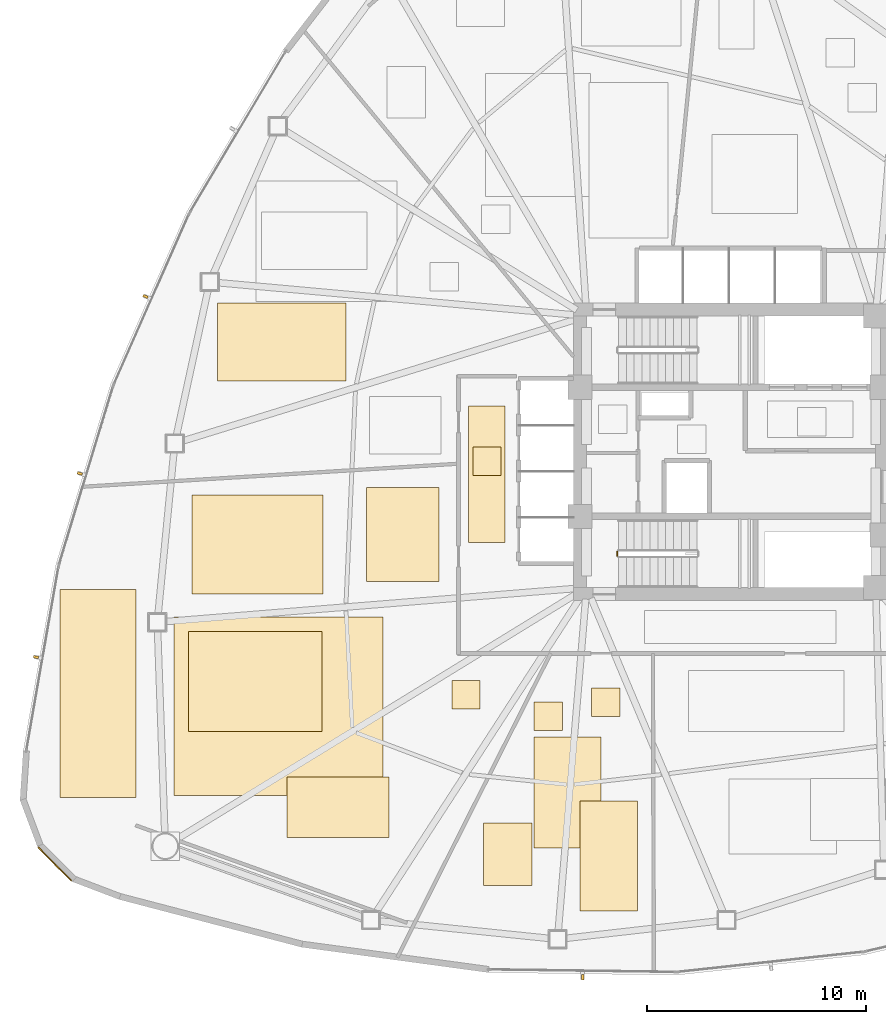
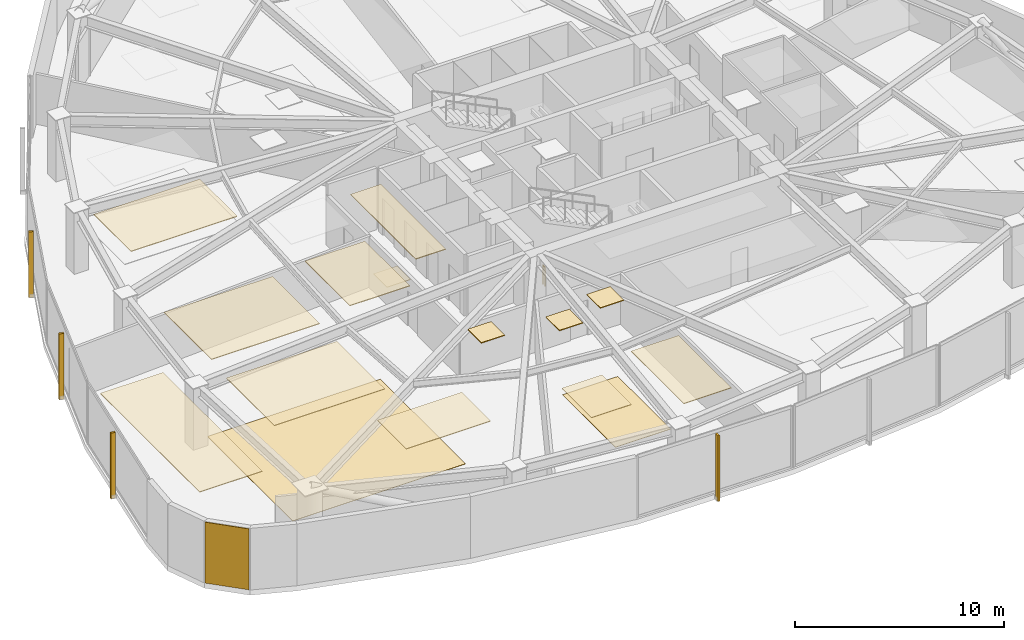
# One storey, part 13 of 16: 16 coverings, 4 shading devices, 1 railing.
"""IFC4 building model written with IfcOpenShell, lengths in metres."""

from ifc_helpers import new_model, si_unit, direction, frame, origin, origin_2d, place, context, subcontext, project, spatial, polyline, rectangle, outline, extrude, source, transform, mapped, material, layer, layer_set, type_object, type_shapes, element, save


model = new_model("IFC4")

# Units and contexts
model_context = context("Model", 3, precision=1e-05, world=origin(), true_north=direction((0.0, 1.0)))
body_context = subcontext(model_context, "Body", "Model", "MODEL_VIEW")
ifc_project = project(units=[si_unit("LENGTHUNIT", "METRE"), si_unit("AREAUNIT", "SQUARE_METRE"), si_unit("VOLUMEUNIT", "CUBIC_METRE"), si_unit("PLANEANGLEUNIT", "RADIAN"), si_unit("MASSUNIT", "GRAM", prefix="KILO")], contexts=[model_context])

# Site, building, storey
site_placement = place(None, origin())
site = spatial("IfcSite", under=ifc_project, at=site_placement, CompositionType="ELEMENT")
building_placement = place(site_placement, origin())
building = spatial("IfcBuilding", under=site, at=building_placement, Name="Tavelor Broadcast Tower", CompositionType="ELEMENT")
storey_placement = place(building_placement, frame((0.0, 0.0, 35.39990234375)))
storey = spatial("IfcBuildingStorey", under=building, at=storey_placement, Name="L07", CompositionType="ELEMENT", Elevation=35.39990234375)

# Coverings
ifc_material_1 = material(Name="Copper-Bronze Anodized Aluminium", Category="aluminium")
ifc_layer_1 = layer(ifc_material_1, 0.044921875)
ifc_layer_set_1 = layer_set([ifc_layer_1], Name="Copper-Bronze Anodized Aluminium")
covering_type_1 = type_object("IfcCoveringType", Name="Anodised Bronze Linear Slatted Concourse Ceiling 45 mm", PredefinedType="CEILING", material=ifc_layer_set_1)
covering_1_placement = place(storey_placement, frame((0.0, 0.0, 3.55517578125)))
element("IfcCovering", 1, at=covering_1_placement, inside=storey, type_object=covering_type_1, Name="L07 Suspended Acoustic Ceiling 0211", PredefinedType="CEILING", context=body_context, shape_type="SweptSolid", body=[
    extrude(outline(polyline([(38.01611328125, 40.868896484375), (39.683837890625, 40.868896484375), (39.683837890625, 47.096923828125), (38.01611328125, 47.096923828125), (38.01611328125, 40.868896484375)])), origin(), (0.0, 0.0, 1.0), 0.044921875),
])
ifc_layer_2 = layer(ifc_material_1, 0.050048828125)
ifc_layer_set_2 = layer_set([ifc_layer_2], Name="Copper-Bronze Anodized Aluminium")
covering_type_2 = type_object("IfcCoveringType", Name="Champagne-Bronze Corner Pier Metal Cladding 50 mm", PredefinedType="CLADDING", material=ifc_layer_set_2)
covering_2_placement = place(storey_placement, frame((19.1181640625, 26.170166015625, 0.02001953125), z_axis=(0.0, 0.0, 1.0), x_axis=(0.705253158862, -0.708955557081, 0.0)))
element("IfcCovering", 2, at=covering_2_placement, inside=storey, type_object=covering_type_2, Name="L07 Champagne-Bronze Corner Cladding 13", PredefinedType="CLADDING", context=body_context, shape_type="SweptSolid", body=[
    extrude(rectangle(XDim=2.164306640625, YDim=0.050048828125, at=origin_2d()), origin(), (0.0, 0.0, 1.0), 3.56005859375),
])
ifc_material_2 = material(Name="Acoustic Nylon Carpet Tile")
ifc_layer_3 = layer(ifc_material_2, 0.02001953125)
ifc_layer_set_3 = layer_set([ifc_layer_3], Name="Acoustic Nylon Carpet Tile")
covering_type_3 = type_object("IfcCoveringType", Name="Heavy-Duty Acoustic Broadcast Carpet Tile 20 mm", PredefinedType="FLOORING", material=ifc_layer_set_3)
covering_3_placement = place(storey_placement, origin())
element("IfcCovering", 3, at=covering_3_placement, inside=storey, type_object=covering_type_3, Name="L07 Broadcast Floor Finish 0078", PredefinedType="FLOORING", context=body_context, shape_type="SweptSolid", body=[
    extrude(outline(polyline([(40.99462890625, 26.917236328125), (44.045654296875, 26.917236328125), (44.045654296875, 31.978515625), (40.99462890625, 31.978515625), (40.99462890625, 26.917236328125)])), origin(), (0.0, 0.0, 1.0), 0.02001953125),
])
covering_4_placement = place(storey_placement, origin())
element("IfcCovering", 4, at=covering_4_placement, inside=storey, type_object=covering_type_3, Name="L07 Broadcast Floor Finish 0079", PredefinedType="FLOORING", context=body_context, shape_type="SweptSolid", body=[
    extrude(outline(polyline([(24.547119140625, 29.31494140625), (34.098876953125, 29.31494140625), (34.098876953125, 37.4599609375), (24.547119140625, 37.4599609375), (24.547119140625, 29.31494140625)])), origin(), (0.0, 0.0, 1.0), 0.02001953125),
])
ifc_material_3 = material(Name="Honed Natural Limestone Tile", Category="masonry")
ifc_layer_4 = layer(ifc_material_3, 0.030029296875)
ifc_layer_set_4 = layer_set([ifc_layer_4], Name="Honed Natural Limestone Tile")
covering_type_4 = type_object("IfcCoveringType", Name="Honed Jerusalem Limestone Concourse Flooring 30 mm", PredefinedType="FLOORING", material=ifc_layer_set_4)
covering_5_placement = place(storey_placement, origin())
element("IfcCovering", 5, at=covering_5_placement, inside=storey, type_object=covering_type_4, Name="L07 Broadcast Floor Finish 0074", PredefinedType="FLOORING", context=body_context, shape_type="SweptSolid", body=[
    extrude(outline(polyline([(38.199951171875, 43.925048828125), (39.5, 43.925048828125), (39.5, 45.22509765625), (38.199951171875, 45.22509765625), (38.199951171875, 43.925048828125)])), origin(), (0.0, 0.0, 1.0), 0.030029296875),
])

# Railing
ifc_material_4 = material(Name="Steel S355", Category="steel")
railing_type = type_object("IfcRailingType", Name="Stairwell Steel Safety Guardrail 1150 mm", PredefinedType="GUARDRAIL", material=ifc_material_4)
railing_placement = place(storey_placement, frame((44.800048828125, 40.25, 0.0)))
element("IfcRailing", 6, at=railing_placement, inside=storey, type_object=railing_type, Name="L07 ST2 stair guard 4", PredefinedType="GUARDRAIL", context=body_context, shape_type="SweptSolid", body=[
    extrude(rectangle(XDim=0.048095703125, YDim=0.048095703125, at=origin_2d()), frame((0.0, 0.0, 1.1259765625), z_axis=(0.0, 1.0, 0.0), x_axis=(-1.0, 0.0, 0.0)), (0.0, 0.0, 1.0), 0.199951171875),
    extrude(rectangle(XDim=0.0419921875, YDim=0.0419921875, at=origin_2d()), origin(), (0.0, 0.0, 1.0), 1.101806640625),
    extrude(rectangle(XDim=0.0419921875, YDim=0.0419921875, at=origin_2d()), frame((0.0, 0.199951171875, 0.0)), (0.0, 0.0, 1.0), 1.101806640625),
])

# Coverings
ifc_material_5 = material(Name="Acoustic Mineral Fibre Tile")
ifc_layer_5 = layer(ifc_material_5, 0.0400390625)
ifc_layer_set_5 = layer_set([ifc_layer_5], Name="Acoustic Mineral Fibre Tile")
covering_type_5 = type_object("IfcCoveringType", Name="Suspended Acoustic Mineral-Fibre Office Ceiling 40 mm", PredefinedType="CEILING", material=ifc_layer_set_5)
covering_6_placement = place(storey_placement, frame((0.0, 0.0, 3.56005859375)))
element("IfcCovering", 7, at=covering_6_placement, inside=storey, type_object=covering_type_5, Name="L07 Suspended Acoustic Ceiling 0219", PredefinedType="CEILING", context=body_context, shape_type="SweptSolid", body=[
    extrude(outline(polyline([(38.6806640625, 25.205810546875), (40.901123046875, 25.205810546875), (40.901123046875, 28.044677734375), (38.6806640625, 28.044677734375), (38.6806640625, 25.205810546875)])), origin(), (0.0, 0.0, 1.0), 0.0400390625),
])
covering_7_placement = place(storey_placement, frame((0.0, 0.0, 3.56005859375)))
element("IfcCovering", 8, at=covering_7_placement, inside=storey, type_object=covering_type_5, Name="L07 Suspended Acoustic Ceiling 0220", PredefinedType="CEILING", context=body_context, shape_type="SweptSolid", body=[
    extrude(outline(polyline([(40.989013671875, 32.272216796875), (42.288818359375, 32.272216796875), (42.288818359375, 33.572265625), (40.989013671875, 33.572265625), (40.989013671875, 32.272216796875)])), origin(), (0.0, 0.0, 1.0), 0.0400390625),
])
covering_8_placement = place(storey_placement, frame((0.0, 0.0, 3.56005859375)))
element("IfcCovering", 9, at=covering_8_placement, inside=storey, type_object=covering_type_5, Name="L07 Suspended Acoustic Ceiling 0221", PredefinedType="CEILING", context=body_context, shape_type="SweptSolid", body=[
    extrude(outline(polyline([(43.62451171875, 32.9248046875), (44.924560546875, 32.9248046875), (44.924560546875, 34.224609375), (43.62451171875, 34.224609375), (43.62451171875, 32.9248046875)])), origin(), (0.0, 0.0, 1.0), 0.0400390625),
])
covering_9_placement = place(storey_placement, frame((0.0, 0.0, 3.56005859375)))
element("IfcCovering", 10, at=covering_9_placement, inside=storey, type_object=covering_type_5, Name="L07 Suspended Acoustic Ceiling 0222", PredefinedType="CEILING", context=body_context, shape_type="SweptSolid", body=[
    extrude(outline(polyline([(43.09814453125, 24.02294921875), (45.71728515625, 24.02294921875), (45.71728515625, 29.062744140625), (43.09814453125, 29.062744140625), (43.09814453125, 24.02294921875)])), origin(), (0.0, 0.0, 1.0), 0.0400390625),
])
covering_10_placement = place(storey_placement, frame((0.0, 0.0, 3.56005859375)))
element("IfcCovering", 11, at=covering_10_placement, inside=storey, type_object=covering_type_5, Name="L07 Suspended Acoustic Ceiling 0223", PredefinedType="CEILING", context=body_context, shape_type="SweptSolid", body=[
    extrude(outline(polyline([(29.708740234375, 27.378173828125), (34.37109375, 27.378173828125), (34.37109375, 30.14013671875), (29.708740234375, 30.14013671875), (29.708740234375, 27.378173828125)])), origin(), (0.0, 0.0, 1.0), 0.0400390625),
])
covering_11_placement = place(storey_placement, frame((0.0, 0.0, 3.56005859375)))
element("IfcCovering", 12, at=covering_11_placement, inside=storey, type_object=covering_type_5, Name="L07 Suspended Acoustic Ceiling 0224", PredefinedType="CEILING", context=body_context, shape_type="SweptSolid", body=[
    extrude(outline(polyline([(25.214111328125, 32.22314453125), (31.322021484375, 32.22314453125), (31.322021484375, 36.800048828125), (25.214111328125, 36.800048828125), (25.214111328125, 32.22314453125)])), origin(), (0.0, 0.0, 1.0), 0.0400390625),
])
covering_12_placement = place(storey_placement, frame((0.0, 0.0, 3.56005859375)))
element("IfcCovering", 13, at=covering_12_placement, inside=storey, type_object=covering_type_5, Name="L07 Suspended Acoustic Ceiling 0225", PredefinedType="CEILING", context=body_context, shape_type="SweptSolid", body=[
    extrude(outline(polyline([(19.3544921875, 29.212646484375), (22.8232421875, 29.212646484375), (22.8232421875, 38.714111328125), (19.3544921875, 38.714111328125), (19.3544921875, 29.212646484375)])), origin(), (0.0, 0.0, 1.0), 0.0400390625),
])
covering_13_placement = place(storey_placement, frame((0.0, 0.0, 3.56005859375)))
element("IfcCovering", 14, at=covering_13_placement, inside=storey, type_object=covering_type_5, Name="L07 Suspended Acoustic Ceiling 0226", PredefinedType="CEILING", context=body_context, shape_type="SweptSolid", body=[
    extrude(outline(polyline([(25.375, 38.505615234375), (31.357421875, 38.505615234375), (31.357421875, 43.031005859375), (25.375, 43.031005859375), (25.375, 38.505615234375)])), origin(), (0.0, 0.0, 1.0), 0.0400390625),
])
covering_14_placement = place(storey_placement, frame((0.0, 0.0, 3.56005859375)))
element("IfcCovering", 15, at=covering_14_placement, inside=storey, type_object=covering_type_5, Name="L07 Suspended Acoustic Ceiling 0227", PredefinedType="CEILING", context=body_context, shape_type="SweptSolid", body=[
    extrude(outline(polyline([(33.345703125, 39.077880859375), (36.65869140625, 39.077880859375), (36.65869140625, 43.369873046875), (33.345703125, 43.369873046875), (33.345703125, 39.077880859375)])), origin(), (0.0, 0.0, 1.0), 0.0400390625),
])
covering_15_placement = place(storey_placement, frame((0.0, 0.0, 3.56005859375)))
element("IfcCovering", 16, at=covering_15_placement, inside=storey, type_object=covering_type_5, Name="L07 Suspended Acoustic Ceiling 0228", PredefinedType="CEILING", context=body_context, shape_type="SweptSolid", body=[
    extrude(outline(polyline([(37.24169921875, 33.247314453125), (38.541748046875, 33.247314453125), (38.541748046875, 34.547119140625), (37.24169921875, 34.547119140625), (37.24169921875, 33.247314453125)])), origin(), (0.0, 0.0, 1.0), 0.0400390625),
])
covering_16_placement = place(storey_placement, frame((0.0, 0.0, 3.56005859375)))
element("IfcCovering", 17, at=covering_16_placement, inside=storey, type_object=covering_type_5, Name="L07 Suspended Acoustic Ceiling 0232", PredefinedType="CEILING", context=body_context, shape_type="SweptSolid", body=[
    extrude(outline(polyline([(26.545166015625, 48.227294921875), (32.4091796875, 48.227294921875), (32.4091796875, 51.79833984375), (26.545166015625, 51.79833984375), (26.545166015625, 48.227294921875)])), origin(), (0.0, 0.0, 1.0), 0.0400390625),
])

# Shading devices
ifc_material_6 = material(Name="Kiln-Fired Glazed Terracotta", Category="masonry")
shading_device_type = type_object("IfcShadingDeviceType", Name="Extruded Terracotta Baguette Sun-Screen 110x240", PredefinedType="JALOUSIE", material=ifc_material_6)
shared_shape = source(origin(), body_context, "Body", "SweptSolid", [
    extrude(rectangle(XDim=0.110107421875, YDim=0.239990234375, at=origin_2d()), origin(), (0.0, 0.0, 1.0), 3.840087890625),
])
type_shapes(shading_device_type, [shared_shape])
for number, where, z_axis, x_axis, name in (
    (18, (23.254150390625, 52.09521484375, -0.259765625), (0.0, 0.0, 1.0), (-0.404024312775, -0.914748246616, 0.0), "L07 Terracotta Baguette Fin 38"),
    (19, (20.256103515625, 44.011474609375, -0.259765625), (0.0, 0.0, 1.0), (-0.290201167351, -0.956965664205, 0.0), "L07 Terracotta Baguette Fin 39"),
    (20, (18.258056640625, 35.62451171875, -0.259765625), (0.0, 0.0, 1.0), (-0.172272957823, -0.985049251562, 0.0), "L07 Terracotta Baguette Fin 40"),
    (21, (43.216064453125, 21.00146484375, -0.259765625), (0.0, 0.0, 1.0), (0.999907336812, -0.013613147671, 0.0), "L07 Terracotta Baguette Fin 41"),
):
    element("IfcShadingDevice", number, at=place(storey_placement, frame(where, z_axis=z_axis, x_axis=x_axis)), inside=storey, type_object=shading_device_type, Name=name, PredefinedType="JALOUSIE", context=body_context, shape_type="MappedRepresentation", body=[
        mapped(shared_shape, transform((0.0, 0.0, 0.0), scale=1.0)),
    ])

save(model, "model.ifc")
